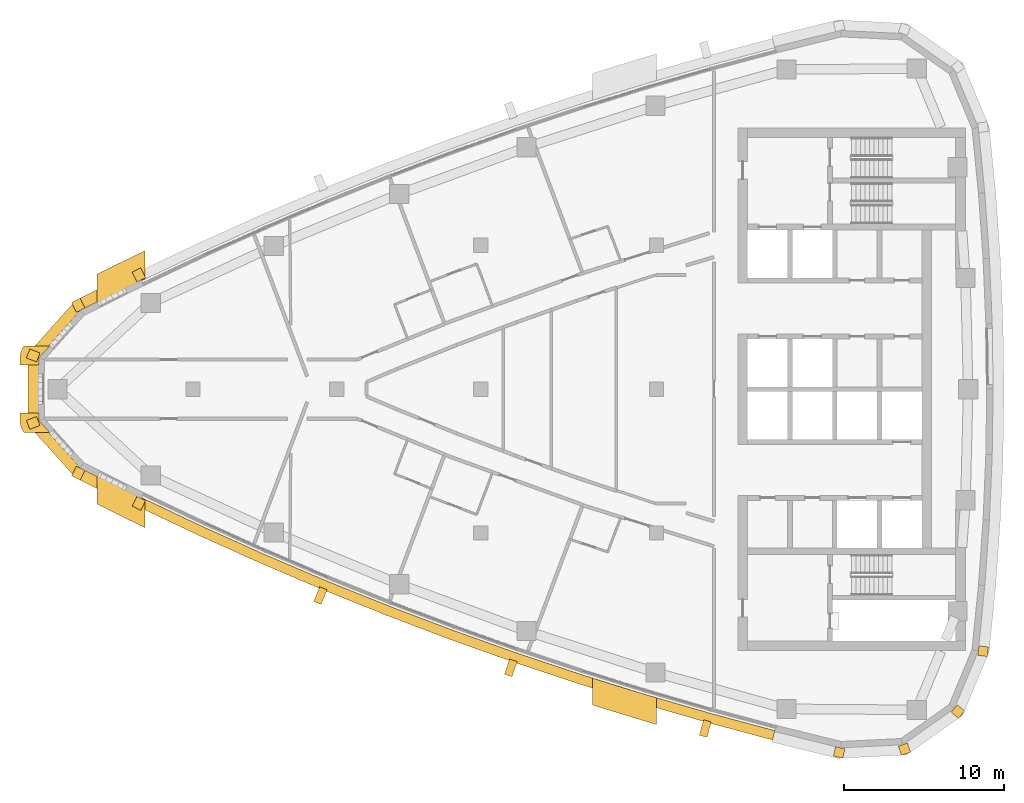
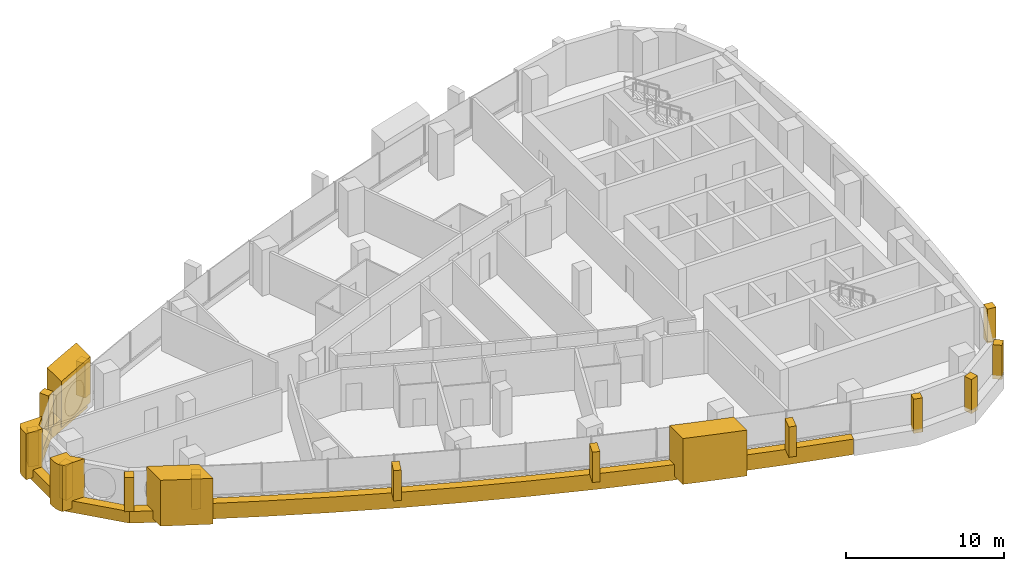
# One storey, part 12 of 15: 20 coverings.
"""IFC4 building model written with IfcOpenShell, lengths in metres."""

from ifc_helpers import new_model, si_unit, direction, frame, frame_2d, origin, place, context, subcontext, project, spatial, polyline, rectangle, outline, extrude, material, layer, layer_set, type_object, element, save


model = new_model("IFC4")

# Units and contexts
model_context = context("Model", 3, precision=1e-05, world=origin(), true_north=direction((0.0, 1.0)))
body_context = subcontext(model_context, "Body", "Model", "MODEL_VIEW")
ifc_project = project(units=[si_unit("LENGTHUNIT", "METRE"), si_unit("AREAUNIT", "SQUARE_METRE"), si_unit("VOLUMEUNIT", "CUBIC_METRE"), si_unit("PLANEANGLEUNIT", "RADIAN"), si_unit("MASSUNIT", "GRAM", prefix="KILO")], contexts=[model_context])

# Site, building, storey
site_placement = place(None, origin())
site = spatial("IfcSite", under=ifc_project, at=site_placement, CompositionType="ELEMENT")
building_placement = place(site_placement, origin())
building = spatial("IfcBuilding", under=site, at=building_placement, Name="Ostrand Prow Hotel Tower", CompositionType="ELEMENT")
storey_placement = place(building_placement, frame((0.0, 0.0, 242.10009765625)))
storey = spatial("IfcBuildingStorey", under=building, at=storey_placement, Name="L61", CompositionType="ELEMENT", Elevation=242.10009765625)

# Coverings
ifc_material_1 = material(Name="Bronze anodised aluminium cladding", Category="aluminium")
ifc_layer_1 = layer(ifc_material_1, 0.60009765625)
ifc_layer_set_1 = layer_set([ifc_layer_1], Name="Bronze anodised aluminium cladding")
covering_type_1 = type_object("IfcCoveringType", Name="Bronze prow band 899x600", PredefinedType="CLADDING", material=ifc_layer_set_1)
covering_1_placement = place(storey_placement, frame((0.0, 0.0, -0.300048828125)))
element("IfcCovering", 1, at=covering_1_placement, inside=storey, type_object=covering_type_1, Name="Bronze prow band", PredefinedType="CLADDING", context=body_context, shape_type="SweptSolid", body=[
    extrude(outline(polyline([(12.464111328125, 7.451904296875), (8.668212890625, 5.55517578125), (5.685302734375, 2.232666015625), (5.685302734375, -2.232666015625), (8.668212890625, -5.55517578125), (12.464111328125, -7.451904296875), (12.76171875, -6.840576171875), (8.97802734375, -4.949951171875), (6.3203125, -1.9892578125), (6.3203125, 1.9892578125), (8.97802734375, 4.949951171875), (12.76171875, 6.840576171875), (12.464111328125, 7.451904296875)])), origin(), (0.0, 0.0, 1.0), 0.89990234375),
])
ifc_material_2 = material(Name="Bronze anodised aluminium cladding", Category="aluminium")
ifc_layer_2 = layer(ifc_material_2, 0.60009765625)
ifc_layer_set_2 = layer_set([ifc_layer_2], Name="Bronze anodised aluminium cladding")
covering_type_2 = type_object("IfcCoveringType", Name="Bronze spandrel band 1200x600", PredefinedType="CLADDING", material=ifc_layer_set_2)
covering_2_placement = place(storey_placement, frame((0.0, 0.0, -0.300048828125)))
element("IfcCovering", 2, at=covering_2_placement, inside=storey, type_object=covering_type_2, Name="Spandrel band S1", PredefinedType="CLADDING", context=body_context, shape_type="SweptSolid", body=[
    extrude(outline(polyline([(12.526123046875, -7.324462890625), (16.35693359375, -9.14306640625), (20.2236328125, -10.88427734375), (24.12451171875, -12.547119140625), (28.058349609375, -14.131103515625), (32.02294921875, -15.635498046875), (36.017333984375, -17.059814453125), (40.039306640625, -18.403564453125), (44.087890625, -19.665771484375), (48.16064453125, -20.846435546875), (52.256591796875, -21.944580078125), (52.40625, -21.363525390625), (48.322021484375, -20.268310546875), (44.260498046875, -19.09130859375), (40.223876953125, -17.83251953125), (36.213134765625, -16.49267578125), (32.230224609375, -15.072509765625), (28.27685546875, -13.572265625), (24.354248046875, -11.992919921875), (20.464599609375, -10.334716796875), (16.60888671875, -8.598388671875), (12.788818359375, -6.784912109375), (12.526123046875, -7.324462890625)])), origin(), (0.0, 0.0, 1.0), 1.199951171875),
])
ifc_material_3 = material(Name="Limestone cladding", Category="masonry")
ifc_layer_3 = layer(ifc_material_3, 5.0)
ifc_layer_set_3 = layer_set([ifc_layer_3], Name="Limestone cladding")
covering_type_3 = type_object("IfcCoveringType", Name="Portal jamb pilaster limestone", PredefinedType="CLADDING", material=ifc_layer_set_3)
covering_3_placement = place(storey_placement, origin())
element("IfcCovering", 3, at=covering_3_placement, inside=storey, type_object=covering_type_3, Name="Portal jamb SA L61", PredefinedType="CLADDING", context=body_context, shape_type="SweptSolid", body=[
    extrude(outline(polyline([(10.0, -5.40087890625), (10.0, -7.19189453125), (11.0, -7.689453125), (12.0, -8.180419921875), (13.0, -8.664794921875), (13.0, -6.8876953125), (12.0, -6.398681640625), (11.0, -5.903076171875), (10.0, -5.40087890625)])), origin(), (0.0, 0.0, 1.0), 3.5498046875),
])
covering_4_placement = place(storey_placement, origin())
element("IfcCovering", 4, at=covering_4_placement, inside=storey, type_object=covering_type_3, Name="Portal jamb SB L61", PredefinedType="CLADDING", context=body_context, shape_type="SweptSolid", body=[
    extrude(outline(polyline([(41.0, -18.08154296875), (41.0, -19.760009765625), (42.0, -20.0732421875), (43.0, -20.381103515625), (44.0, -20.68359375), (45.0, -20.980712890625), (45.0, -19.312255859375), (44.0, -19.0126953125), (43.0, -18.707763671875), (42.0, -18.3974609375), (41.0, -18.08154296875)])), origin(), (0.0, 0.0, 1.0), 3.5498046875),
])
covering_5_placement = place(storey_placement, origin())
element("IfcCovering", 5, at=covering_5_placement, inside=storey, type_object=covering_type_3, Name="Portal jamb NA L61", PredefinedType="CLADDING", context=body_context, shape_type="SweptSolid", body=[
    extrude(outline(polyline([(10.0, 5.40087890625), (11.0, 5.903076171875), (12.0, 6.398681640625), (13.0, 6.8876953125), (13.0, 8.664794921875), (12.0, 8.180419921875), (11.0, 7.689453125), (10.0, 7.19189453125), (10.0, 5.40087890625)])), origin(), (0.0, 0.0, 1.0), 3.5498046875),
])
ifc_material_4 = material(Name="Limestone cladding", Category="masonry")
ifc_layer_4 = layer(ifc_material_4, 0.5)
ifc_layer_set_4 = layer_set([ifc_layer_4], Name="Limestone cladding")
covering_type_4 = type_object("IfcCoveringType", Name="Precast stone fin 500x900", PredefinedType="CLADDING", material=ifc_layer_set_4)
for number, where, z_axis, x_axis, name in (
    (6, (24.162841796875, -12.45458984375, 0.89990234375), (0.0, 0.0, 1.0), (-0.382811769845, -0.923826362943, 0.0), "Stone fin S 4"),
    (7, (36.0498046875, -16.96533203125, 0.89990234375), (0.0, 0.0, 1.0), (-0.326389393469, -0.945235401279, 0.0), "Stone fin S 7"),
    (8, (48.1875, -20.75, 0.89990234375), (0.0, 0.0, 1.0), (-0.26852507925, -0.963272693381, 0.0), "Stone fin S 10"),
):
    element("IfcCovering", number, at=place(storey_placement, frame(where, z_axis=z_axis, x_axis=x_axis)), inside=storey, type_object=covering_type_4, Name=name, PredefinedType="CLADDING", context=body_context, shape_type="SweptSolid", body=[
        extrude(rectangle(XDim=1.0, YDim=0.5, at=frame_2d((0.5, 0.0))), origin(), (0.0, 0.0, 1.0), 2.35009765625),
    ])
ifc_material_5 = material(Name="Limestone cladding", Category="masonry")
ifc_layer_5 = layer(ifc_material_5, 0.60009765625)
ifc_layer_set_5 = layer_set([ifc_layer_5], Name="Limestone cladding")
covering_type_5 = type_object("IfcCoveringType", Name="Precast stone prow rib 600x600", PredefinedType="CLADDING", material=ifc_layer_set_5)
for number, where, z_axis, x_axis, name in (
    (9, (12.76171875, 6.840576171875, 0.599853515625), (0.0, 0.0, 1.0), (-0.437708972644, 0.899116708368, 0.0), "Stone prow rib 1"),
    (10, (8.97802734375, 4.949951171875, 0.599853515625), (0.0, 0.0, 1.0), (-0.455667721738, 0.890149946563, 0.0), "Stone prow rib 2"),
):
    element("IfcCovering", number, at=place(storey_placement, frame(where, z_axis=z_axis, x_axis=x_axis)), inside=storey, type_object=covering_type_5, Name=name, PredefinedType="CLADDING", context=body_context, shape_type="SweptSolid", body=[
        extrude(rectangle(XDim=0.679931640625, YDim=0.60009765625, at=frame_2d((0.33984375, 0.0))), origin(), (0.0, 0.0, 1.0), 2.650146484375),
    ])
for number, where, z_axis, x_axis, name in (
    (11, (6.3203125, 1.9892578125, 0.599853515625), (0.0, 0.0, 1.0), (-0.9337521164, 0.357920361419, 0.0), "Stone prow rib 3"),
    (12, (6.3203125, -1.9892578125, 0.599853515625), (0.0, 0.0, 1.0), (-0.9337521164, -0.357920361419, 0.0), "Stone prow rib 4"),
):
    element("IfcCovering", number, at=place(storey_placement, frame(where, z_axis=z_axis, x_axis=x_axis)), inside=storey, type_object=covering_type_5, Name=name, PredefinedType="CLADDING", context=body_context, shape_type="SweptSolid", body=[
        extrude(rectangle(XDim=0.68017578125, YDim=0.60009765625, at=frame_2d((0.340087890625, 0.0))), origin(), (0.0, 0.0, 1.0), 2.650146484375),
    ])
for number, where, z_axis, x_axis, name in (
    (13, (8.97802734375, -4.949951171875, 0.599853515625), (0.0, 0.0, 1.0), (-0.455667721738, -0.890149946563, 0.0), "Stone prow rib 5"),
    (14, (12.76171875, -6.840576171875, 0.599853515625), (0.0, 0.0, 1.0), (-0.437708972644, -0.899116708368, 0.0), "Stone prow rib 6"),
):
    element("IfcCovering", number, at=place(storey_placement, frame(where, z_axis=z_axis, x_axis=x_axis)), inside=storey, type_object=covering_type_5, Name=name, PredefinedType="CLADDING", context=body_context, shape_type="SweptSolid", body=[
        extrude(rectangle(XDim=0.679931640625, YDim=0.60009765625, at=frame_2d((0.33984375, 0.0))), origin(), (0.0, 0.0, 1.0), 2.650146484375),
    ])
for number, where, z_axis, x_axis, name in (
    (15, (56.49755859375, -22.436279296875, 0.599853515625), (0.0, 0.0, 1.0), (-0.229878322855, -0.973219377469, 0.0), "Stone corner rib 2a"),
    (16, (60.417236328125, -22.240966796875, 0.599853515625), (0.0, 0.0, 1.0), (0.325489086777, -0.945545797087, 0.0), "Stone corner rib 3a"),
    (17, (63.62744140625, -19.98291015625, 0.599853515625), (0.0, 0.0, 1.0), (0.779994736518, -0.625786074473, 0.0), "Stone corner rib 4a"),
    (18, (65.13623046875, -16.35986328125, 0.599853515625), (0.0, 0.0, 1.0), (0.993628058569, -0.112708833834, 0.0), "Stone corner rib 4b"),
):
    element("IfcCovering", number, at=place(storey_placement, frame(where, z_axis=z_axis, x_axis=x_axis)), inside=storey, type_object=covering_type_5, Name=name, PredefinedType="CLADDING", context=body_context, shape_type="SweptSolid", body=[
        extrude(rectangle(XDim=0.60009765625, YDim=0.60009765625, at=frame_2d((0.300048828125, 0.0))), origin(), (0.0, 0.0, 1.0), 2.650146484375),
    ])
ifc_material_6 = material(Name="Limestone cladding", Category="masonry")
ifc_layer_6 = layer(ifc_material_6, 3.0)
ifc_layer_set_6 = layer_set([ifc_layer_6], Name="Limestone cladding")
covering_type_6 = type_object("IfcCoveringType", Name="Prow nose pier limestone", PredefinedType="CLADDING", material=ifc_layer_set_6)
covering_6_placement = place(storey_placement, origin())
element("IfcCovering", 19, at=covering_6_placement, inside=storey, type_object=covering_type_6, Name="Prow spine fin N L61", PredefinedType="CLADDING", context=body_context, shape_type="SweptSolid", body=[
    extrude(outline(polyline([(5.177734375, 1.96728515625), (5.177734375, 1.5), (6.377685546875, 1.5), (6.377685546875, 1.96728515625), (7.03564453125, 2.699951171875), (5.42919921875, 2.699951171875), (5.406005859375, 2.67138671875), (5.337890625, 2.566162109375), (5.28125, 2.454345703125), (5.236328125, 2.33740234375), (5.203857421875, 2.21630859375), (5.184326171875, 2.09228515625), (5.177734375, 1.96728515625)])), origin(), (0.0, 0.0, 1.0), 3.5498046875),
])
covering_7_placement = place(storey_placement, origin())
element("IfcCovering", 20, at=covering_7_placement, inside=storey, type_object=covering_type_6, Name="Prow spine fin S L61", PredefinedType="CLADDING", context=body_context, shape_type="SweptSolid", body=[
    extrude(outline(polyline([(5.406005859375, -2.67138671875), (5.42919921875, -2.699951171875), (7.03564453125, -2.699951171875), (6.377685546875, -1.96728515625), (6.377685546875, -1.5), (5.177734375, -1.5), (5.177734375, -1.96728515625), (5.184326171875, -2.09228515625), (5.203857421875, -2.21630859375), (5.236328125, -2.33740234375), (5.28125, -2.454345703125), (5.337890625, -2.566162109375), (5.406005859375, -2.67138671875)])), origin(), (0.0, 0.0, 1.0), 3.5498046875),
])

save(model, "model.ifc")
